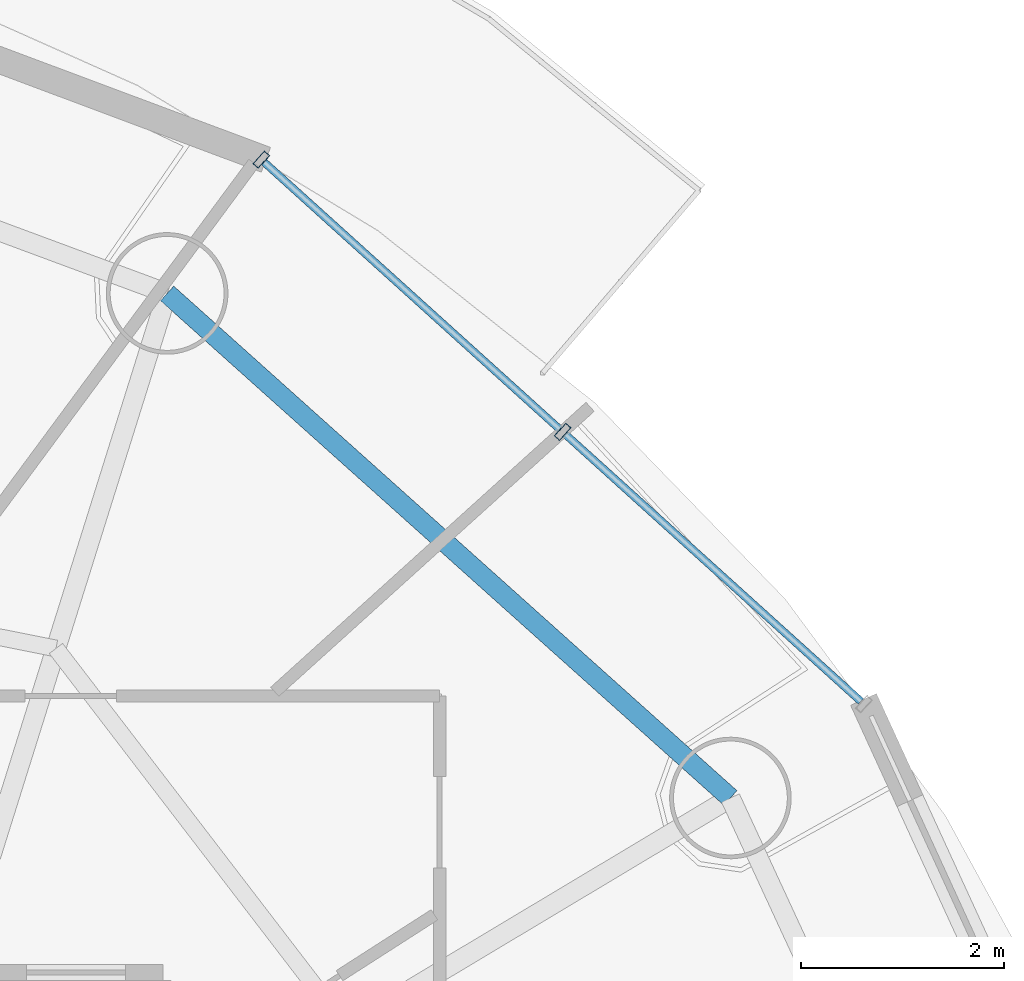
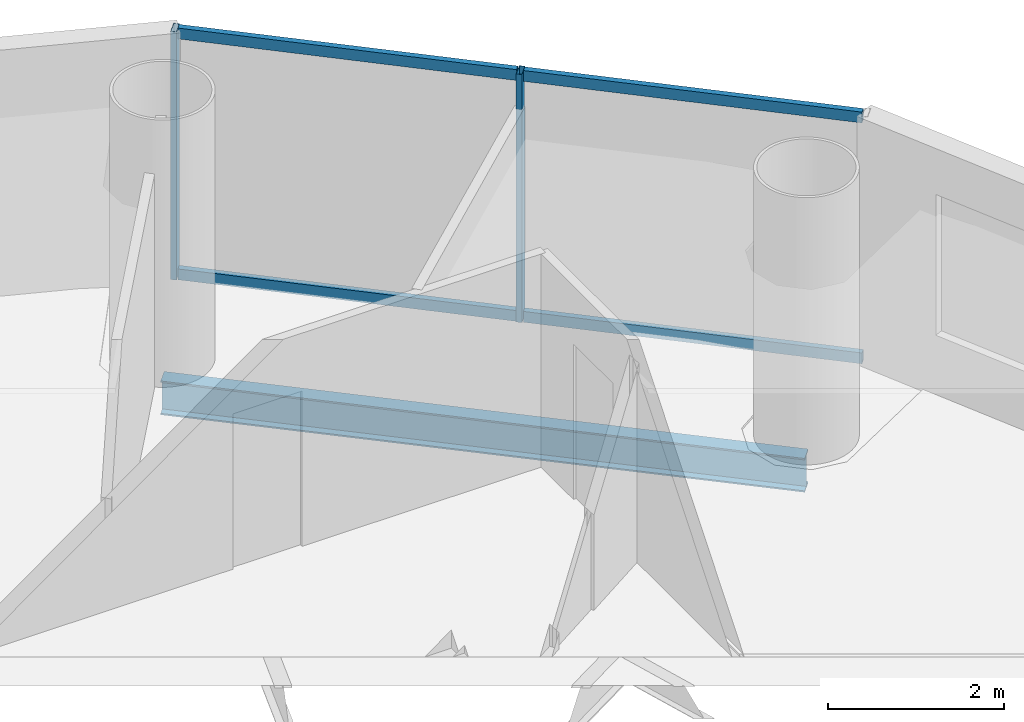
# One storey, part 18 of 27: 6 members, 1 beam, 1 element without a shape of its own.
"""IFC4 building model written with IfcOpenShell, lengths in metres."""

from ifc_helpers import new_model, si_unit, direction, frame, origin, origin_2d, place, context, subcontext, project, spatial, hollow_rectangle, i_section, extrude, source, transform, mapped, material, material_profile, profile_set, type_object, element, aggregate, save


model = new_model("IFC4")

# Units and contexts
model_context = context("Model", 3, precision=1e-05, world=origin(), true_north=direction((-0.2419218956, 0.970295726276)))
body_context = subcontext(model_context, "Body", "Model", "MODEL_VIEW")
ifc_project = project(units=[si_unit("LENGTHUNIT", "METRE"), si_unit("AREAUNIT", "SQUARE_METRE"), si_unit("VOLUMEUNIT", "CUBIC_METRE"), si_unit("PLANEANGLEUNIT", "RADIAN"), si_unit("MASSUNIT", "GRAM", prefix="KILO")], contexts=[model_context])

# Site, building, storey
site_placement = place(None, origin())
site = spatial("IfcSite", under=ifc_project, at=site_placement, CompositionType="ELEMENT")
building_placement = place(site_placement, origin())
building = spatial("IfcBuilding", under=site, at=building_placement, Name="Cobrevalo Terracotta Tower", CompositionType="ELEMENT")
storey_placement = place(building_placement, frame((0.0, 0.0, 194.89990234375)))
storey = spatial("IfcBuildingStorey", under=building, at=storey_placement, Name="L51", CompositionType="ELEMENT", Elevation=194.89990234375)

# Beam
ifc_material_1 = material(Name="Steel S355", Category="steel")
ifc_material_profile_1 = material_profile(ifc_material_1, i_section(OverallWidth=0.194091796875, OverallDepth=0.468994140625, WebThickness=0.011474609375, FlangeThickness=0.0205078125, at=origin_2d()), Name="W 460x106")
ifc_profile_set_1 = profile_set([ifc_material_profile_1], Name="Steel S355")
beam_type = type_object("IfcBeamType", Name="Structural Spandrel W 460x106 (Steel S355)", PredefinedType="SPANDREL", material=ifc_profile_set_1)
beam_placement = place(storey_placement, frame((54.754150390625, 36.828125, -0.49951171875), z_axis=(-0.744851930997, 0.667229796165, 0.0), x_axis=(-0.667229796165, -0.744851930997, 0.0)))
element("IfcBeam", 1, at=beam_placement, inside=storey, type_object=beam_type, Name="L51 perimeter ring spandrel 02", PredefinedType="SPANDREL", context=body_context, shape_type="SweptSolid", body=[
    extrude(i_section(OverallWidth=0.194091796875, OverallDepth=0.468994140625, WebThickness=0.011474609375, FlangeThickness=0.0205078125, at=origin_2d()), origin(), (0.0, 0.0, 1.0), 7.463623046875),
])

# Curtain wall, members
ifc_material_2 = material(Name="Anodized aluminium", Category="aluminium")
curtain_wall_type = type_object("IfcCurtainWallType", Name="Mid-tower high-wind unitised curtain wall CW-U2", PredefinedType="NOTDEFINED", material=ifc_material_2)
curtain_wall_placement = place(storey_placement, origin())
curtain_wall = element("IfcCurtainWall", 2, at=curtain_wall_placement, inside=storey, type_object=curtain_wall_type, Name="L51 curtain wall CW-L51-S02", PredefinedType="NOTDEFINED")
ifc_material_profile_2 = material_profile(ifc_material_2, hollow_rectangle(XDim=0.074951171875, YDim=0.14990234375, WallThickness=0.00439453125, at=origin_2d()), Name="CWT 75x150")
ifc_profile_set_2 = profile_set([ifc_material_profile_2], Name="Anodized aluminium")
member_type_1 = type_object("IfcMemberType", Name="Tower unitised aluminium transom 75x150", PredefinedType="USERDEFINED", material=ifc_profile_set_2)
shared_shape_1 = source(origin(), body_context, "Body", "SweptSolid", [
    extrude(hollow_rectangle(XDim=0.074951171875, YDim=0.14990234375, WallThickness=0.00439453125, at=origin_2d()), origin(), (0.0, 0.0, 1.0), 3.927490234375),
])
member_1_placement = place(storey_placement, frame((56.041748046875, 37.78173828125, 0.050048828125), z_axis=(-0.741975952623, 0.670426495396, 0.0), x_axis=(-0.670426495396, -0.741975952623, 0.0)))
member_1 = element("IfcMember", 3, at=member_1_placement, type_object=member_type_1, Name="CW-L51-S02 transom B01-T1", ObjectType="TRANSOM", PredefinedType="USERDEFINED", context=body_context, shape_type="MappedRepresentation", body=[
    mapped(shared_shape_1, transform((0.0, 0.0, 0.0), scale=1.0)),
])
member_2_placement = place(storey_placement, frame((56.041748046875, 37.78173828125, 3.385009765625), z_axis=(-0.741975952623, 0.670426495396, 0.0), x_axis=(-0.670426495396, -0.741975952623, 0.0)))
member_2 = element("IfcMember", 4, at=member_2_placement, type_object=member_type_1, Name="CW-L51-S02 transom B01-T2", ObjectType="TRANSOM", PredefinedType="USERDEFINED", context=body_context, shape_type="MappedRepresentation", body=[
    mapped(shared_shape_1, transform((0.0, 0.0, 0.0), scale=1.0)),
])
shared_shape_2 = source(origin(), body_context, "Body", "SweptSolid", [
    extrude(hollow_rectangle(XDim=0.074951171875, YDim=0.14990234375, WallThickness=0.00439453125, at=origin_2d()), origin(), (0.0, 0.0, 1.0), 3.927734375),
])
member_3_placement = place(storey_placement, frame((53.068359375, 40.46826171875, 0.050048828125), z_axis=(-0.742003891138, 0.670395573923, 0.0), x_axis=(-0.670395573923, -0.742003891138, 0.0)))
member_3 = element("IfcMember", 5, at=member_3_placement, type_object=member_type_1, Name="CW-L51-S02 transom B02-T1", ObjectType="TRANSOM", PredefinedType="USERDEFINED", context=body_context, shape_type="MappedRepresentation", body=[
    mapped(shared_shape_2, transform((0.0, 0.0, 0.0), scale=1.0)),
])
member_4_placement = place(storey_placement, frame((53.068359375, 40.46826171875, 3.385009765625), z_axis=(-0.742003891138, 0.670395573923, 0.0), x_axis=(-0.670395573923, -0.742003891138, 0.0)))
member_4 = element("IfcMember", 6, at=member_4_placement, type_object=member_type_1, Name="CW-L51-S02 transom B02-T2", ObjectType="TRANSOM", PredefinedType="USERDEFINED", context=body_context, shape_type="MappedRepresentation", body=[
    mapped(shared_shape_2, transform((0.0, 0.0, 0.0), scale=1.0)),
])
ifc_material_profile_3 = material_profile(ifc_material_2, hollow_rectangle(XDim=0.070068359375, YDim=0.169921875, WallThickness=0.00439453125, at=origin_2d()), Name="CWM 70x170")
ifc_profile_set_3 = profile_set([ifc_material_profile_3], Name="Anodized aluminium")
member_type_2 = type_object("IfcMemberType", Name="Upper tower unitised mullion 70x170", PredefinedType="MULLION", material=ifc_profile_set_3)
shared_shape_3 = source(origin(), body_context, "Body", "SweptSolid", [
    extrude(hollow_rectangle(XDim=0.070068359375, YDim=0.169921875, WallThickness=0.00439453125, at=origin_2d()), origin(), (0.0, 0.0, 1.0), 3.43505859375),
])
member_5_placement = place(storey_placement, frame((53.097900390625, 40.441650390625, 0.0), z_axis=(0.0, 0.0, 1.0), x_axis=(-0.741987542015, 0.670413668935, 0.0)))
member_5 = element("IfcMember", 7, at=member_5_placement, type_object=member_type_2, Name="CW-L51-S02 vertical mullion 02", PredefinedType="MULLION", context=body_context, shape_type="MappedRepresentation", body=[
    mapped(shared_shape_3, transform((0.0, 0.0, 0.0), scale=1.0)),
])
member_6_placement = place(storey_placement, frame((50.12451171875, 43.128173828125, 0.0), z_axis=(0.0, 0.0, 1.0), x_axis=(-0.741987542015, 0.670413668935, 0.0)))
member_6 = element("IfcMember", 8, at=member_6_placement, type_object=member_type_2, Name="CW-L51-S02 vertical mullion 03", PredefinedType="MULLION", context=body_context, shape_type="MappedRepresentation", body=[
    mapped(shared_shape_3, transform((0.0, 0.0, 0.0), scale=1.0)),
])
aggregate(curtain_wall, [member_5, member_6, member_1, member_2, member_3, member_4])

save(model, "model.ifc")
